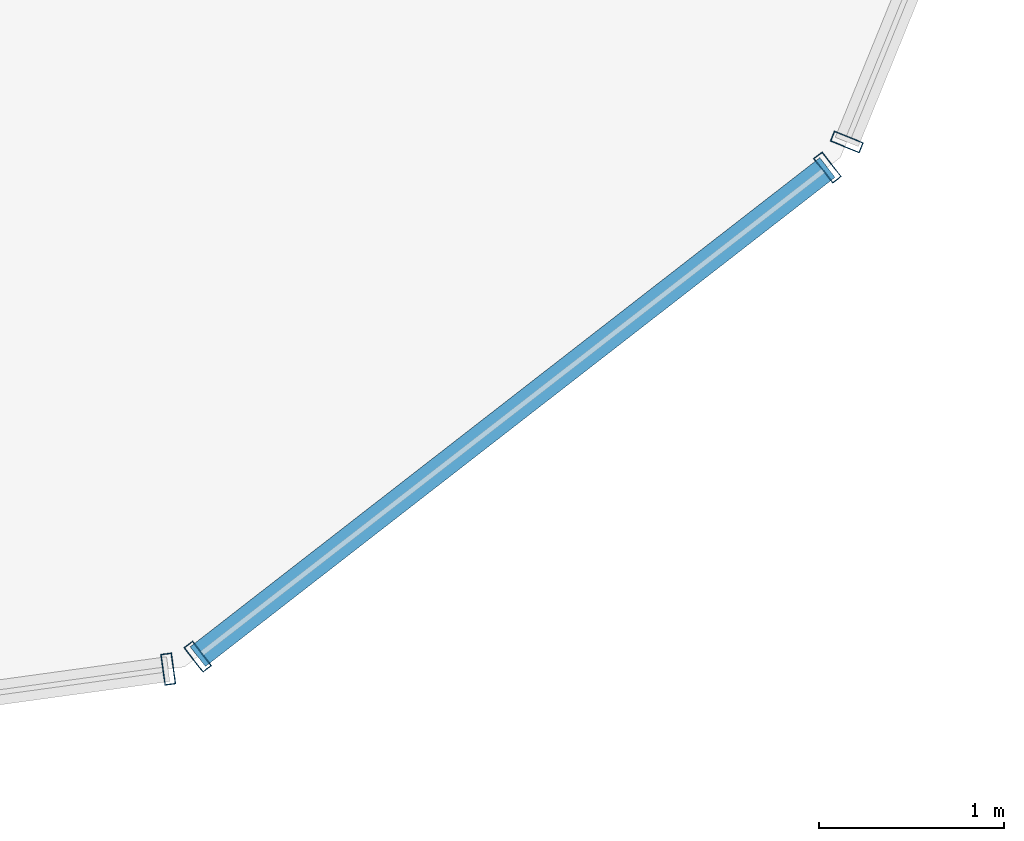
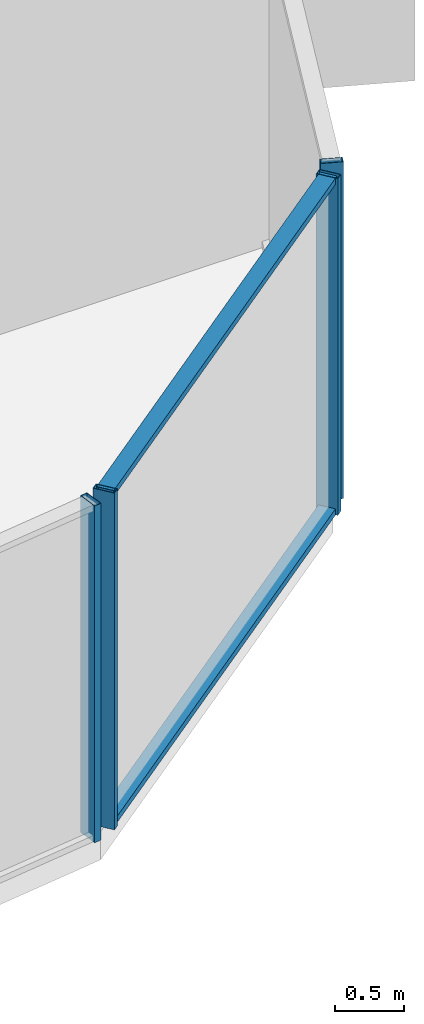
# One storey, part 14 of 37: 6 members, 3 elements without a shape of their own.
"""IFC4 building model written with IfcOpenShell, lengths in metres."""

from ifc_helpers import new_model, si_unit, direction, frame, origin, origin_2d, place, context, subcontext, project, spatial, hollow_rectangle, extrude, source, transform, mapped, material, layer, layer_set, material_profile, profile_set, type_object, element, aggregate, save


model = new_model("IFC4")

# Units and contexts
model_context = context("Model", 3, precision=1e-05, world=origin(), true_north=direction((0.0, 1.0)))
body_context = subcontext(model_context, "Body", "Model", "MODEL_VIEW")
ifc_project = project(units=[si_unit("LENGTHUNIT", "METRE"), si_unit("AREAUNIT", "SQUARE_METRE"), si_unit("VOLUMEUNIT", "CUBIC_METRE"), si_unit("PLANEANGLEUNIT", "RADIAN"), si_unit("MASSUNIT", "GRAM", prefix="KILO")], contexts=[model_context])

# Site, building, storey
site_placement = place(None, origin())
site = spatial("IfcSite", under=ifc_project, at=site_placement, CompositionType="ELEMENT")
building_placement = place(site_placement, origin())
building = spatial("IfcBuilding", under=site, at=building_placement, Name="Veraguas Prism Commons", CompositionType="ELEMENT")
storey_placement = place(building_placement, frame((0.0, 0.0, 50.050048828125)))
storey = spatial("IfcBuildingStorey", under=building, at=storey_placement, Name="L13", CompositionType="ELEMENT", Elevation=50.050048828125)

# Curtain wall, member
ifc_material = material(Name="Anodised aluminium EN AW-6063 T6", Category="aluminium")
ifc_layer = layer(ifc_material, 0.169921875, Name="Unitised Flush Curtain Wall Zone 1", Category="aluminium")
ifc_layer_set = layer_set([ifc_layer], Name="Anodised aluminium EN AW-6063 T6")
curtain_wall_type = type_object("IfcCurtainWallType", Name="Unitised Flush Curtain Wall Zone 1", PredefinedType="NOTDEFINED", material=ifc_layer_set)
curtain_wall_1_placement = place(storey_placement, origin())
curtain_wall_1 = element("IfcCurtainWall", 1, at=curtain_wall_1_placement, inside=storey, type_object=curtain_wall_type, Name="Tower Facade Curtain Wall L13-F5", PredefinedType="NOTDEFINED")
ifc_material_profile_1 = material_profile(ifc_material, hollow_rectangle(XDim=0.06005859375, YDim=0.169921875, WallThickness=0.00390625, at=origin_2d()), Name="AL60X170X4")
ifc_profile_set_1 = profile_set([ifc_material_profile_1], Name="Anodised aluminium EN AW-6063 T6")
member_type_1 = type_object("IfcMemberType", Name="Curtain Wall Mullion Lower AL 60x170x4", PredefinedType="MULLION", material=ifc_profile_set_1)
shared_shape_1 = source(origin(), body_context, "Body", "SweptSolid", [
    extrude(hollow_rectangle(XDim=0.06005859375, YDim=0.169921875, WallThickness=0.00390625, at=origin_2d()), origin(), (0.0, 0.0, 1.0), 3.0),
])
member_1_placement = place(storey_placement, frame((36.06005859375, 4.679931640625, 0.0), z_axis=(0.0, 0.0, 1.0), x_axis=(0.99065308977, 0.136405482764, 0.0)))
member_1 = element("IfcMember", 2, at=member_1_placement, type_object=member_type_1, Name="CW-Z1 Mullion 5", PredefinedType="MULLION", context=body_context, shape_type="MappedRepresentation", body=[
    mapped(shared_shape_1, transform((0.0, 0.0, 0.0), scale=1.0)),
])
aggregate(curtain_wall_1, [member_1])

curtain_wall_2_placement = place(storey_placement, origin())
curtain_wall_2 = element("IfcCurtainWall", 3, at=curtain_wall_2_placement, inside=storey, type_object=curtain_wall_type, Name="Tower Facade Curtain Wall L13-F6", PredefinedType="NOTDEFINED")
member_2_placement = place(storey_placement, frame((39.73681640625, 7.5361328125, 0.0), z_axis=(0.0, 0.0, 1.0), x_axis=(0.377197548003, 0.926132825128, 0.0)))
member_2 = element("IfcMember", 4, at=member_2_placement, type_object=member_type_1, Name="CW-Z1 Mullion 1", PredefinedType="MULLION", context=body_context, shape_type="MappedRepresentation", body=[
    mapped(shared_shape_1, transform((0.0, 0.0, 0.0), scale=1.0)),
])
aggregate(curtain_wall_2, [member_2])

# Curtain wall, members
curtain_wall_3_placement = place(storey_placement, origin())
curtain_wall_3 = element("IfcCurtainWall", 5, at=curtain_wall_3_placement, inside=storey, type_object=curtain_wall_type, Name="Chamfer Curtain Wall L13-C6", PredefinedType="NOTDEFINED")
member_3_placement = place(storey_placement, frame((36.22021484375, 4.747314453125, 0.0), z_axis=(0.0, 0.0, 1.0), x_axis=(0.789732283416, 0.613451644818, 0.0)))
member_3 = element("IfcMember", 6, at=member_3_placement, type_object=member_type_1, Name="CW-Z1 Mullion 1", PredefinedType="MULLION", context=body_context, shape_type="MappedRepresentation", body=[
    mapped(shared_shape_1, transform((0.0, 0.0, 0.0), scale=1.0)),
])
member_4_placement = place(storey_placement, frame((39.6318359375, 7.3974609375, 0.0), z_axis=(0.0, 0.0, 1.0), x_axis=(0.789732283416, 0.613451644818, 0.0)))
member_4 = element("IfcMember", 7, at=member_4_placement, type_object=member_type_1, Name="CW-Z1 Mullion 2", PredefinedType="MULLION", context=body_context, shape_type="MappedRepresentation", body=[
    mapped(shared_shape_1, transform((0.0, 0.0, 0.0), scale=1.0)),
])
ifc_material_profile_2 = material_profile(ifc_material, hollow_rectangle(XDim=0.054931640625, YDim=0.135009765625, WallThickness=0.0029296875, at=origin_2d()), Name="AL55X135X3")
ifc_profile_set_2 = profile_set([ifc_material_profile_2], Name="Anodised aluminium EN AW-6063 T6")
member_type_2 = type_object("IfcMemberType", Name="Curtain Wall Transom Standard AL 55x135x3", PredefinedType="USERDEFINED", material=ifc_profile_set_2)
shared_shape_2 = source(origin(), body_context, "Body", "SweptSolid", [
    extrude(hollow_rectangle(XDim=0.054931640625, YDim=0.135009765625, WallThickness=0.0029296875, at=origin_2d()), origin(), (0.0, 0.0, 1.0), 4.320068359375),
])
member_5_placement = place(storey_placement, frame((36.22021484375, 4.747314453125, 0.02734375), z_axis=(0.789726367122, 0.613459261135, 0.0), x_axis=(0.0, 0.0, 1.0)))
member_5 = element("IfcMember", 8, at=member_5_placement, type_object=member_type_2, Name="CW-Z1 Transom 1", ObjectType="TRANSOM", PredefinedType="USERDEFINED", context=body_context, shape_type="MappedRepresentation", body=[
    mapped(shared_shape_2, transform((0.0, 0.0, 0.0), scale=1.0)),
])
member_6_placement = place(storey_placement, frame((36.22021484375, 4.747314453125, 2.972412109375), z_axis=(0.789726367122, 0.613459261135, 0.0), x_axis=(0.0, 0.0, 1.0)))
member_6 = element("IfcMember", 9, at=member_6_placement, type_object=member_type_2, Name="CW-Z1 Transom 2", ObjectType="TRANSOM", PredefinedType="USERDEFINED", context=body_context, shape_type="MappedRepresentation", body=[
    mapped(shared_shape_2, transform((0.0, 0.0, 0.0), scale=1.0)),
])
aggregate(curtain_wall_3, [member_3, member_4, member_5, member_6])

save(model, "model.ifc")
